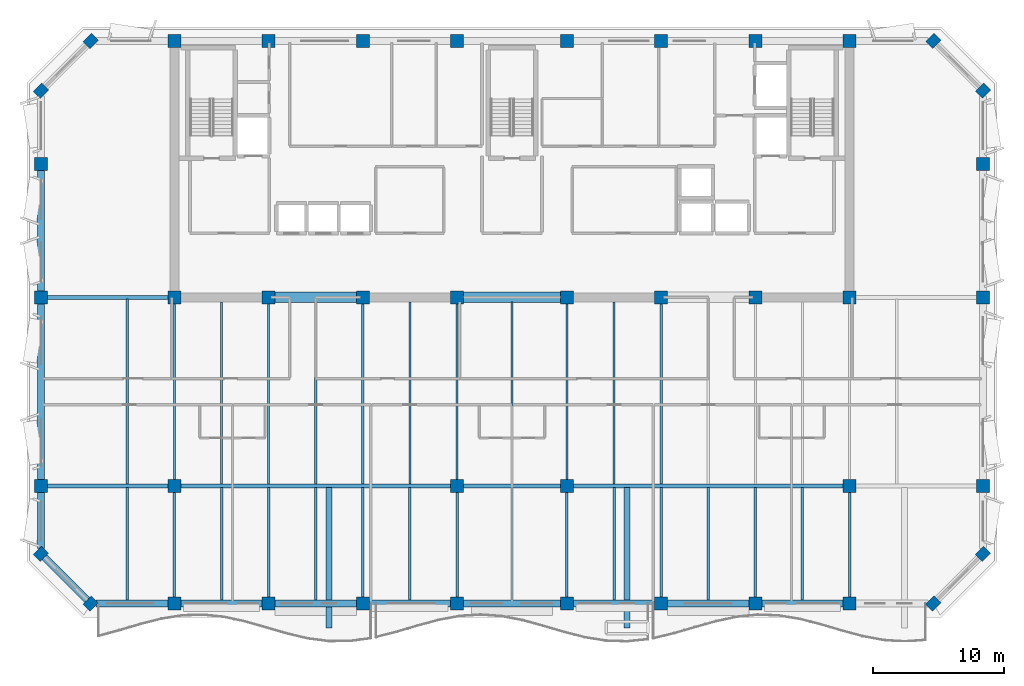
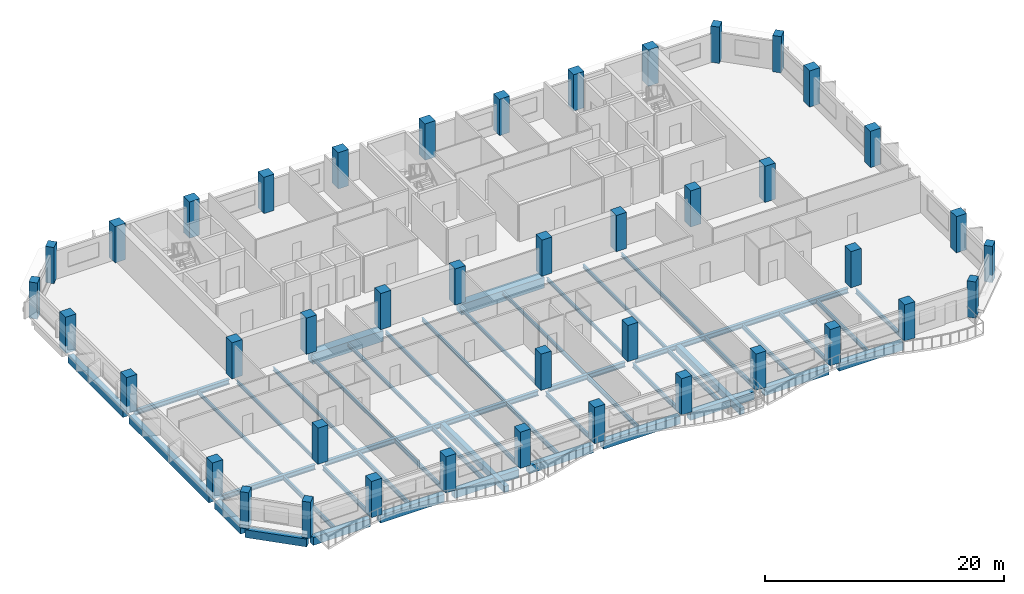
# One storey, part 1 of 11: 49 beams, 42 columns.
"""IFC4 building model written with IfcOpenShell, lengths in metres."""

from ifc_helpers import new_model, si_unit, direction, frame, origin, origin_2d, place, context, subcontext, project, spatial, rectangle, i_section, extrude, material, material_profile, profile_set, type_object, element, save


model = new_model("IFC4")

# Units and contexts
model_context = context("Model", 3, precision=1e-05, world=origin(), true_north=direction((0.0, 1.0)))
body_context = subcontext(model_context, "Body", "Model", "MODEL_VIEW")
ifc_project = project(units=[si_unit("LENGTHUNIT", "METRE"), si_unit("AREAUNIT", "SQUARE_METRE"), si_unit("VOLUMEUNIT", "CUBIC_METRE"), si_unit("PLANEANGLEUNIT", "RADIAN"), si_unit("MASSUNIT", "GRAM", prefix="KILO")], contexts=[model_context])

# Site, building, storey
site_placement = place(None, origin())
site = spatial("IfcSite", under=ifc_project, at=site_placement, CompositionType="ELEMENT")
building_placement = place(site_placement, origin())
building = spatial("IfcBuilding", under=site, at=building_placement, Name="Kaelvorn Grand Hotel", CompositionType="ELEMENT")
storey_placement = place(building_placement, frame((0.0, 0.0, 256.800048828125)))
storey = spatial("IfcBuildingStorey", under=building, at=storey_placement, Name="L63", CompositionType="ELEMENT", Elevation=256.800048828125)

# Columns
ifc_material_1 = material(Name="Concrete C60/75", Category="concrete")
ifc_material_profile_1 = material_profile(ifc_material_1, rectangle(XDim=0.89990234375, YDim=0.75, at=origin_2d()), Name="RC PILASTER 900x750")
ifc_profile_set_1 = profile_set([ifc_material_profile_1], Name="Concrete C60/75")
column_type_1 = type_object("IfcColumnType", Name="COL-PIL-900x750-C60", PredefinedType="PILASTER", material=ifc_profile_set_1)
for number, where, z_axis, x_axis, name in (
    (1, (9.800048828125, 6.0, 0.0), (0.0, 0.0, 1.0), (0.707106781187, 0.707106781187, 0.0), "L63 Structural Column CH-01"),
    (2, (74.199951171875, 6.0, 0.0), (0.0, 0.0, 1.0), (0.707106781187, 0.707106781187, 0.0), "L63 Structural Column CH-02"),
    (3, (78.0, 9.800048828125, 0.0), (0.0, 0.0, 1.0), (0.707106781187, 0.707106781187, 0.0), "L63 Structural Column CH-03"),
    (4, (78.0, 45.199951171875, 0.0), (0.0, 0.0, 1.0), (0.707106781187, 0.707106781187, 0.0), "L63 Structural Column CH-04"),
    (5, (74.199951171875, 49.0, 0.0), (0.0, 0.0, 1.0), (0.707106781187, 0.707106781187, 0.0), "L63 Structural Column CH-05"),
    (6, (9.800048828125, 49.0, 0.0), (0.0, 0.0, 1.0), (0.707106781187, 0.707106781187, 0.0), "L63 Structural Column CH-06"),
    (7, (6.0, 45.199951171875, 0.0), (0.0, 0.0, 1.0), (0.707106781187, 0.707106781187, 0.0), "L63 Structural Column CH-07"),
    (8, (6.0, 9.800048828125, 0.0), (0.0, 0.0, 1.0), (0.707106781187, 0.707106781187, 0.0), "L63 Structural Column CH-08"),
):
    element("IfcColumn", number, at=place(storey_placement, frame(where, z_axis=z_axis, x_axis=x_axis)), inside=storey, type_object=column_type_1, Name=name, PredefinedType="PILASTER", context=body_context, shape_type="SweptSolid", body=[
        extrude(rectangle(XDim=0.89990234375, YDim=0.75, at=origin_2d()), origin(), (0.0, 0.0, 1.0), 3.7099609375),
    ])
ifc_material_2 = material(Name="Concrete C50/60", Category="concrete")
ifc_material_profile_2 = material_profile(ifc_material_2, rectangle(XDim=1.0, YDim=1.0, at=origin_2d()), Name="RC COL 1000x1000")
ifc_profile_set_2 = profile_set([ifc_material_profile_2], Name="Concrete C50/60")
column_type_2 = type_object("IfcColumnType", Name="COL-RC-1000-C50", PredefinedType="COLUMN", material=ifc_profile_set_2)
for number, where, z_axis, x_axis, name in (
    (9, (16.199951171875, 6.0, 0.0), (0.0, 0.0, 1.0), (1.0, 0.0, 0.0), "L63 Structural Column S-01"),
    (10, (23.39990234375, 6.0, 0.0), (0.0, 0.0, 1.0), (1.0, 0.0, 0.0), "L63 Structural Column S-02"),
    (11, (30.60009765625, 6.0, 0.0), (0.0, 0.0, 1.0), (1.0, 0.0, 0.0), "L63 Structural Column S-03"),
    (12, (37.800048828125, 6.0, 0.0), (0.0, 0.0, 1.0), (1.0, 0.0, 0.0), "L63 Structural Column S-04"),
    (13, (46.199951171875, 6.0, 0.0), (0.0, 0.0, 1.0), (1.0, 0.0, 0.0), "L63 Structural Column S-05"),
    (14, (53.39990234375, 6.0, 0.0), (0.0, 0.0, 1.0), (1.0, 0.0, 0.0), "L63 Structural Column S-06"),
    (15, (60.60009765625, 6.0, 0.0), (0.0, 0.0, 1.0), (1.0, 0.0, 0.0), "L63 Structural Column S-07"),
    (16, (67.800048828125, 6.0, 0.0), (0.0, 0.0, 1.0), (1.0, 0.0, 0.0), "L63 Structural Column S-08"),
    (17, (6.0, 15.0, 0.0), (0.0, 0.0, 1.0), (1.0, 0.0, 0.0), "L63 Structural Column W-01"),
    (18, (78.0, 15.0, 0.0), (0.0, 0.0, 1.0), (1.0, 0.0, 0.0), "L63 Structural Column E-01"),
    (19, (6.0, 29.39990234375, 0.0), (0.0, 0.0, 1.0), (1.0, 0.0, 0.0), "L63 Structural Column W-02"),
    (20, (78.0, 29.39990234375, 0.0), (0.0, 0.0, 1.0), (1.0, 0.0, 0.0), "L63 Structural Column E-02"),
    (21, (6.0, 39.60009765625, 0.0), (0.0, 0.0, 1.0), (1.0, 0.0, 0.0), "L63 Structural Column W-03"),
    (22, (78.0, 39.60009765625, 0.0), (0.0, 0.0, 1.0), (1.0, 0.0, 0.0), "L63 Structural Column E-03"),
    (23, (16.199951171875, 15.0, 0.0), (0.0, 0.0, 1.0), (1.0, 0.0, 0.0), "L63 Structural Column M-01"),
    (24, (37.800048828125, 15.0, 0.0), (0.0, 0.0, 1.0), (1.0, 0.0, 0.0), "L63 Structural Column M-02"),
    (25, (46.199951171875, 15.0, 0.0), (0.0, 0.0, 1.0), (1.0, 0.0, 0.0), "L63 Structural Column M-03"),
    (26, (67.800048828125, 15.0, 0.0), (0.0, 0.0, 1.0), (1.0, 0.0, 0.0), "L63 Structural Column M-04"),
    (27, (16.199951171875, 29.39990234375, 0.0), (0.0, 0.0, 1.0), (1.0, 0.0, 0.0), "L63 Structural Column CR1-01"),
    (28, (16.199951171875, 49.0, 0.0), (0.0, 0.0, 1.0), (1.0, 0.0, 0.0), "L63 Structural Column CR2-01"),
    (29, (23.39990234375, 29.39990234375, 0.0), (0.0, 0.0, 1.0), (1.0, 0.0, 0.0), "L63 Structural Column CR1-02"),
    (30, (23.39990234375, 49.0, 0.0), (0.0, 0.0, 1.0), (1.0, 0.0, 0.0), "L63 Structural Column CR2-02"),
    (31, (30.60009765625, 29.39990234375, 0.0), (0.0, 0.0, 1.0), (1.0, 0.0, 0.0), "L63 Structural Column CR1-03"),
    (32, (30.60009765625, 49.0, 0.0), (0.0, 0.0, 1.0), (1.0, 0.0, 0.0), "L63 Structural Column CR2-03"),
    (33, (37.800048828125, 29.39990234375, 0.0), (0.0, 0.0, 1.0), (1.0, 0.0, 0.0), "L63 Structural Column CR1-04"),
    (34, (37.800048828125, 49.0, 0.0), (0.0, 0.0, 1.0), (1.0, 0.0, 0.0), "L63 Structural Column CR2-04"),
    (35, (46.199951171875, 29.39990234375, 0.0), (0.0, 0.0, 1.0), (1.0, 0.0, 0.0), "L63 Structural Column CR1-05"),
    (36, (46.199951171875, 49.0, 0.0), (0.0, 0.0, 1.0), (1.0, 0.0, 0.0), "L63 Structural Column CR2-05"),
    (37, (53.39990234375, 29.39990234375, 0.0), (0.0, 0.0, 1.0), (1.0, 0.0, 0.0), "L63 Structural Column CR1-06"),
    (38, (53.39990234375, 49.0, 0.0), (0.0, 0.0, 1.0), (1.0, 0.0, 0.0), "L63 Structural Column CR2-06"),
    (39, (60.60009765625, 29.39990234375, 0.0), (0.0, 0.0, 1.0), (1.0, 0.0, 0.0), "L63 Structural Column CR1-07"),
    (40, (60.60009765625, 49.0, 0.0), (0.0, 0.0, 1.0), (1.0, 0.0, 0.0), "L63 Structural Column CR2-07"),
    (41, (67.800048828125, 29.39990234375, 0.0), (0.0, 0.0, 1.0), (1.0, 0.0, 0.0), "L63 Structural Column CR1-08"),
    (42, (67.800048828125, 49.0, 0.0), (0.0, 0.0, 1.0), (1.0, 0.0, 0.0), "L63 Structural Column CR2-08"),
):
    element("IfcColumn", number, at=place(storey_placement, frame(where, z_axis=z_axis, x_axis=x_axis)), inside=storey, type_object=column_type_2, Name=name, PredefinedType="COLUMN", context=body_context, shape_type="SweptSolid", body=[
        extrude(rectangle(XDim=1.0, YDim=1.0, at=origin_2d()), origin(), (0.0, 0.0, 1.0), 3.7099609375),
    ])

# Beams
ifc_material_3 = material(Name="Steel S355", Category="steel")
ifc_material_profile_3 = material_profile(ifc_material_3, i_section(OverallWidth=0.300048828125, OverallDepth=0.5, WebThickness=0.014404296875, FlangeThickness=0.028076171875, FilletRadius=0.027099609375, at=origin_2d()), Name="HEB 500")
ifc_profile_set_3 = profile_set([ifc_material_profile_3], Name="Steel S355")
beam_type_1 = type_object("IfcBeamType", Name="BM-G-HEB500-S355", PredefinedType="BEAM", material=ifc_profile_set_3)
beam_1_placement = place(storey_placement, frame((6.485107421875, 15.0, -0.489990234375), z_axis=(1.0, 0.0, 0.0), x_axis=(0.0, 1.0, 0.0)))
element("IfcBeam", 43, at=beam_1_placement, inside=storey, type_object=beam_type_1, Name="L63 Primary Spine Steel Girder G-15 01", PredefinedType="BEAM", context=body_context, shape_type="SweptSolid", body=[
    extrude(i_section(OverallWidth=0.300048828125, OverallDepth=0.5, WebThickness=0.014404296875, FlangeThickness=0.028076171875, FilletRadius=0.027099609375, at=origin_2d()), origin(), (0.0, 0.0, 1.0), 9.22998046875),
])
beam_2_placement = place(storey_placement, frame((16.68505859375, 15.0, -0.489990234375), z_axis=(1.0, 0.0, 0.0), x_axis=(0.0, 1.0, 0.0)))
element("IfcBeam", 44, at=beam_2_placement, inside=storey, type_object=beam_type_1, Name="L63 Primary Spine Steel Girder G-15 02", PredefinedType="BEAM", context=body_context, shape_type="SweptSolid", body=[
    extrude(i_section(OverallWidth=0.300048828125, OverallDepth=0.5, WebThickness=0.014404296875, FlangeThickness=0.028076171875, FilletRadius=0.027099609375, at=origin_2d()), origin(), (0.0, 0.0, 1.0), 20.6298828125),
])
beam_3_placement = place(storey_placement, frame((38.284912109375, 15.0, -0.489990234375), z_axis=(1.0, 0.0, 0.0), x_axis=(0.0, 1.0, 0.0)))
element("IfcBeam", 45, at=beam_3_placement, inside=storey, type_object=beam_type_1, Name="L63 Primary Spine Steel Girder G-15 03", PredefinedType="BEAM", context=body_context, shape_type="SweptSolid", body=[
    extrude(i_section(OverallWidth=0.300048828125, OverallDepth=0.5, WebThickness=0.014404296875, FlangeThickness=0.028076171875, FilletRadius=0.027099609375, at=origin_2d()), origin(), (0.0, 0.0, 1.0), 7.43017578125),
])
beam_4_placement = place(storey_placement, frame((46.68505859375, 15.0, -0.489990234375), z_axis=(1.0, 0.0, 0.0), x_axis=(0.0, 1.0, 0.0)))
element("IfcBeam", 46, at=beam_4_placement, inside=storey, type_object=beam_type_1, Name="L63 Primary Spine Steel Girder G-15 04", PredefinedType="BEAM", context=body_context, shape_type="SweptSolid", body=[
    extrude(i_section(OverallWidth=0.300048828125, OverallDepth=0.5, WebThickness=0.014404296875, FlangeThickness=0.028076171875, FilletRadius=0.027099609375, at=origin_2d()), origin(), (0.0, 0.0, 1.0), 20.6298828125),
])
beam_5_placement = place(storey_placement, frame((6.485107421875, 29.39990234375, -0.489990234375), z_axis=(1.0, 0.0, 0.0), x_axis=(0.0, 1.0, 0.0)))
element("IfcBeam", 47, at=beam_5_placement, inside=storey, type_object=beam_type_1, Name="L63 West Core Wing Steel Girder G-29W 01", PredefinedType="BEAM", context=body_context, shape_type="SweptSolid", body=[
    extrude(i_section(OverallWidth=0.300048828125, OverallDepth=0.5, WebThickness=0.014404296875, FlangeThickness=0.028076171875, FilletRadius=0.027099609375, at=origin_2d()), origin(), (0.0, 0.0, 1.0), 9.22998046875),
])
ifc_material_profile_4 = material_profile(ifc_material_3, i_section(OverallWidth=0.169921875, OverallDepth=0.360107421875, WebThickness=0.008056640625, FlangeThickness=0.0126953125, FilletRadius=0.01806640625, at=origin_2d()), Name="IPE 360")
ifc_profile_set_4 = profile_set([ifc_material_profile_4], Name="Steel S355")
beam_type_2 = type_object("IfcBeamType", Name="BM-J-IPE360-S355", PredefinedType="JOIST", material=ifc_profile_set_4)
beam_6_placement = place(storey_placement, frame((12.60009765625, 15.135009765625, -0.420166015625), z_axis=(0.0, 1.0, 0.0), x_axis=(-1.0, 0.0, 0.0)))
element("IfcBeam", 48, at=beam_6_placement, inside=storey, type_object=beam_type_2, Name="L63 Composite Floor Joist JM-04", PredefinedType="JOIST", context=body_context, shape_type="SweptSolid", body=[
    extrude(i_section(OverallWidth=0.169921875, OverallDepth=0.360107421875, WebThickness=0.008056640625, FlangeThickness=0.0126953125, FilletRadius=0.01806640625, at=origin_2d()), origin(), (0.0, 0.0, 1.0), 14.1298828125),
])
beam_7_placement = place(storey_placement, frame((16.199951171875, 15.485107421875, -0.420166015625), z_axis=(0.0, 1.0, 0.0), x_axis=(-1.0, 0.0, 0.0)))
element("IfcBeam", 49, at=beam_7_placement, inside=storey, type_object=beam_type_2, Name="L63 Composite Floor Joist JM-05", PredefinedType="JOIST", context=body_context, shape_type="SweptSolid", body=[
    extrude(i_section(OverallWidth=0.169921875, OverallDepth=0.360107421875, WebThickness=0.008056640625, FlangeThickness=0.0126953125, FilletRadius=0.01806640625, at=origin_2d()), origin(), (0.0, 0.0, 1.0), 13.429931640625),
])
beam_8_placement = place(storey_placement, frame((19.800048828125, 15.135009765625, -0.420166015625), z_axis=(0.0, 1.0, 0.0), x_axis=(-1.0, 0.0, 0.0)))
element("IfcBeam", 50, at=beam_8_placement, inside=storey, type_object=beam_type_2, Name="L63 Composite Floor Joist JM-06", PredefinedType="JOIST", context=body_context, shape_type="SweptSolid", body=[
    extrude(i_section(OverallWidth=0.169921875, OverallDepth=0.360107421875, WebThickness=0.008056640625, FlangeThickness=0.0126953125, FilletRadius=0.01806640625, at=origin_2d()), origin(), (0.0, 0.0, 1.0), 13.925048828125),
])
beam_9_placement = place(storey_placement, frame((23.39990234375, 15.135009765625, -0.420166015625), z_axis=(0.0, 1.0, 0.0), x_axis=(-1.0, 0.0, 0.0)))
element("IfcBeam", 51, at=beam_9_placement, inside=storey, type_object=beam_type_2, Name="L63 Composite Floor Joist JM-07", PredefinedType="JOIST", context=body_context, shape_type="SweptSolid", body=[
    extrude(i_section(OverallWidth=0.169921875, OverallDepth=0.360107421875, WebThickness=0.008056640625, FlangeThickness=0.0126953125, FilletRadius=0.01806640625, at=origin_2d()), origin(), (0.0, 0.0, 1.0), 13.780029296875),
])
beam_10_placement = place(storey_placement, frame((27.0, 15.135009765625, -0.420166015625), z_axis=(0.0, 1.0, 0.0), x_axis=(-1.0, 0.0, 0.0)))
element("IfcBeam", 52, at=beam_10_placement, inside=storey, type_object=beam_type_2, Name="L63 Composite Floor Joist JM-08", PredefinedType="JOIST", context=body_context, shape_type="SweptSolid", body=[
    extrude(i_section(OverallWidth=0.169921875, OverallDepth=0.360107421875, WebThickness=0.008056640625, FlangeThickness=0.0126953125, FilletRadius=0.01806640625, at=origin_2d()), origin(), (0.0, 0.0, 1.0), 13.925048828125),
])
beam_11_placement = place(storey_placement, frame((30.60009765625, 15.135009765625, -0.420166015625), z_axis=(0.0, 1.0, 0.0), x_axis=(-1.0, 0.0, 0.0)))
element("IfcBeam", 53, at=beam_11_placement, inside=storey, type_object=beam_type_2, Name="L63 Composite Floor Joist JM-09", PredefinedType="JOIST", context=body_context, shape_type="SweptSolid", body=[
    extrude(i_section(OverallWidth=0.169921875, OverallDepth=0.360107421875, WebThickness=0.008056640625, FlangeThickness=0.0126953125, FilletRadius=0.01806640625, at=origin_2d()), origin(), (0.0, 0.0, 1.0), 13.780029296875),
])
beam_12_placement = place(storey_placement, frame((34.199951171875, 15.135009765625, -0.420166015625), z_axis=(0.0, 1.0, 0.0), x_axis=(-1.0, 0.0, 0.0)))
element("IfcBeam", 54, at=beam_12_placement, inside=storey, type_object=beam_type_2, Name="L63 Composite Floor Joist JM-10", PredefinedType="JOIST", context=body_context, shape_type="SweptSolid", body=[
    extrude(i_section(OverallWidth=0.169921875, OverallDepth=0.360107421875, WebThickness=0.008056640625, FlangeThickness=0.0126953125, FilletRadius=0.01806640625, at=origin_2d()), origin(), (0.0, 0.0, 1.0), 13.925048828125),
])
beam_13_placement = place(storey_placement, frame((37.800048828125, 15.485107421875, -0.420166015625), z_axis=(0.0, 1.0, 0.0), x_axis=(-1.0, 0.0, 0.0)))
element("IfcBeam", 55, at=beam_13_placement, inside=storey, type_object=beam_type_2, Name="L63 Composite Floor Joist JM-11", PredefinedType="JOIST", context=body_context, shape_type="SweptSolid", body=[
    extrude(i_section(OverallWidth=0.169921875, OverallDepth=0.360107421875, WebThickness=0.008056640625, FlangeThickness=0.0126953125, FilletRadius=0.01806640625, at=origin_2d()), origin(), (0.0, 0.0, 1.0), 13.429931640625),
])
beam_14_placement = place(storey_placement, frame((42.0, 15.135009765625, -0.420166015625), z_axis=(0.0, 1.0, 0.0), x_axis=(-1.0, 0.0, 0.0)))
element("IfcBeam", 56, at=beam_14_placement, inside=storey, type_object=beam_type_2, Name="L63 Composite Floor Joist JM-12", PredefinedType="JOIST", context=body_context, shape_type="SweptSolid", body=[
    extrude(i_section(OverallWidth=0.169921875, OverallDepth=0.360107421875, WebThickness=0.008056640625, FlangeThickness=0.0126953125, FilletRadius=0.01806640625, at=origin_2d()), origin(), (0.0, 0.0, 1.0), 13.925048828125),
])
beam_15_placement = place(storey_placement, frame((46.199951171875, 15.485107421875, -0.420166015625), z_axis=(0.0, 1.0, 0.0), x_axis=(-1.0, 0.0, 0.0)))
element("IfcBeam", 57, at=beam_15_placement, inside=storey, type_object=beam_type_2, Name="L63 Composite Floor Joist JM-13", PredefinedType="JOIST", context=body_context, shape_type="SweptSolid", body=[
    extrude(i_section(OverallWidth=0.169921875, OverallDepth=0.360107421875, WebThickness=0.008056640625, FlangeThickness=0.0126953125, FilletRadius=0.01806640625, at=origin_2d()), origin(), (0.0, 0.0, 1.0), 13.429931640625),
])
beam_16_placement = place(storey_placement, frame((49.800048828125, 15.135009765625, -0.420166015625), z_axis=(0.0, 1.0, 0.0), x_axis=(-1.0, 0.0, 0.0)))
element("IfcBeam", 58, at=beam_16_placement, inside=storey, type_object=beam_type_2, Name="L63 Composite Floor Joist JM-14", PredefinedType="JOIST", context=body_context, shape_type="SweptSolid", body=[
    extrude(i_section(OverallWidth=0.169921875, OverallDepth=0.360107421875, WebThickness=0.008056640625, FlangeThickness=0.0126953125, FilletRadius=0.01806640625, at=origin_2d()), origin(), (0.0, 0.0, 1.0), 13.925048828125),
])
beam_17_placement = place(storey_placement, frame((53.39990234375, 15.135009765625, -0.420166015625), z_axis=(0.0, 1.0, 0.0), x_axis=(-1.0, 0.0, 0.0)))
element("IfcBeam", 59, at=beam_17_placement, inside=storey, type_object=beam_type_2, Name="L63 Composite Floor Joist JM-15", PredefinedType="JOIST", context=body_context, shape_type="SweptSolid", body=[
    extrude(i_section(OverallWidth=0.169921875, OverallDepth=0.360107421875, WebThickness=0.008056640625, FlangeThickness=0.0126953125, FilletRadius=0.01806640625, at=origin_2d()), origin(), (0.0, 0.0, 1.0), 13.780029296875),
])
ifc_material_profile_5 = material_profile(ifc_material_3, i_section(OverallWidth=0.18994140625, OverallDepth=0.449951171875, WebThickness=0.009521484375, FlangeThickness=0.0146484375, FilletRadius=0.02099609375, at=origin_2d()), Name="IPE 450")
ifc_profile_set_5 = profile_set([ifc_material_profile_5], Name="Steel S355")
beam_type_3 = type_object("IfcBeamType", Name="BM-J-IPE450-S355", PredefinedType="JOIST", material=ifc_profile_set_5)
beam_18_placement = place(storey_placement, frame((12.60009765625, 6.260009765625, -0.465087890625), z_axis=(0.0, 1.0, 0.0), x_axis=(-1.0, 0.0, 0.0)))
element("IfcBeam", 60, at=beam_18_placement, inside=storey, type_object=beam_type_3, Name="L63 Composite Floor Joist JS-04", PredefinedType="JOIST", context=body_context, shape_type="SweptSolid", body=[
    extrude(i_section(OverallWidth=0.18994140625, OverallDepth=0.449951171875, WebThickness=0.009521484375, FlangeThickness=0.0146484375, FilletRadius=0.02099609375, at=origin_2d()), origin(), (0.0, 0.0, 1.0), 8.60498046875),
])
beam_19_placement = place(storey_placement, frame((16.199951171875, 6.485107421875, -0.465087890625), z_axis=(0.0, 1.0, 0.0), x_axis=(-1.0, 0.0, 0.0)))
element("IfcBeam", 61, at=beam_19_placement, inside=storey, type_object=beam_type_3, Name="L63 Composite Floor Joist JS-05", PredefinedType="JOIST", context=body_context, shape_type="SweptSolid", body=[
    extrude(i_section(OverallWidth=0.18994140625, OverallDepth=0.449951171875, WebThickness=0.009521484375, FlangeThickness=0.0146484375, FilletRadius=0.02099609375, at=origin_2d()), origin(), (0.0, 0.0, 1.0), 8.02978515625),
])
beam_20_placement = place(storey_placement, frame((19.800048828125, 6.260009765625, -0.465087890625), z_axis=(0.0, 1.0, 0.0), x_axis=(-1.0, 0.0, 0.0)))
element("IfcBeam", 62, at=beam_20_placement, inside=storey, type_object=beam_type_3, Name="L63 Composite Floor Joist JS-06", PredefinedType="JOIST", context=body_context, shape_type="SweptSolid", body=[
    extrude(i_section(OverallWidth=0.18994140625, OverallDepth=0.449951171875, WebThickness=0.009521484375, FlangeThickness=0.0146484375, FilletRadius=0.02099609375, at=origin_2d()), origin(), (0.0, 0.0, 1.0), 8.60498046875),
])
beam_21_placement = place(storey_placement, frame((23.39990234375, 6.485107421875, -0.465087890625), z_axis=(0.0, 1.0, 0.0), x_axis=(-1.0, 0.0, 0.0)))
element("IfcBeam", 63, at=beam_21_placement, inside=storey, type_object=beam_type_3, Name="L63 Composite Floor Joist JS-07", PredefinedType="JOIST", context=body_context, shape_type="SweptSolid", body=[
    extrude(i_section(OverallWidth=0.18994140625, OverallDepth=0.449951171875, WebThickness=0.009521484375, FlangeThickness=0.0146484375, FilletRadius=0.02099609375, at=origin_2d()), origin(), (0.0, 0.0, 1.0), 8.3798828125),
])
beam_22_placement = place(storey_placement, frame((27.0, 6.260009765625, -0.465087890625), z_axis=(0.0, 1.0, 0.0), x_axis=(-1.0, 0.0, 0.0)))
element("IfcBeam", 64, at=beam_22_placement, inside=storey, type_object=beam_type_3, Name="L63 Composite Floor Joist JS-08", PredefinedType="JOIST", context=body_context, shape_type="SweptSolid", body=[
    extrude(i_section(OverallWidth=0.18994140625, OverallDepth=0.449951171875, WebThickness=0.009521484375, FlangeThickness=0.0146484375, FilletRadius=0.02099609375, at=origin_2d()), origin(), (0.0, 0.0, 1.0), 8.60498046875),
])
beam_23_placement = place(storey_placement, frame((30.60009765625, 6.485107421875, -0.465087890625), z_axis=(0.0, 1.0, 0.0), x_axis=(-1.0, 0.0, 0.0)))
element("IfcBeam", 65, at=beam_23_placement, inside=storey, type_object=beam_type_3, Name="L63 Composite Floor Joist JS-09", PredefinedType="JOIST", context=body_context, shape_type="SweptSolid", body=[
    extrude(i_section(OverallWidth=0.18994140625, OverallDepth=0.449951171875, WebThickness=0.009521484375, FlangeThickness=0.0146484375, FilletRadius=0.02099609375, at=origin_2d()), origin(), (0.0, 0.0, 1.0), 8.3798828125),
])
beam_24_placement = place(storey_placement, frame((34.199951171875, 6.260009765625, -0.465087890625), z_axis=(0.0, 1.0, 0.0), x_axis=(-1.0, 0.0, 0.0)))
element("IfcBeam", 66, at=beam_24_placement, inside=storey, type_object=beam_type_3, Name="L63 Composite Floor Joist JS-10", PredefinedType="JOIST", context=body_context, shape_type="SweptSolid", body=[
    extrude(i_section(OverallWidth=0.18994140625, OverallDepth=0.449951171875, WebThickness=0.009521484375, FlangeThickness=0.0146484375, FilletRadius=0.02099609375, at=origin_2d()), origin(), (0.0, 0.0, 1.0), 8.60498046875),
])
beam_25_placement = place(storey_placement, frame((37.800048828125, 6.485107421875, -0.465087890625), z_axis=(0.0, 1.0, 0.0), x_axis=(-1.0, 0.0, 0.0)))
element("IfcBeam", 67, at=beam_25_placement, inside=storey, type_object=beam_type_3, Name="L63 Composite Floor Joist JS-11", PredefinedType="JOIST", context=body_context, shape_type="SweptSolid", body=[
    extrude(i_section(OverallWidth=0.18994140625, OverallDepth=0.449951171875, WebThickness=0.009521484375, FlangeThickness=0.0146484375, FilletRadius=0.02099609375, at=origin_2d()), origin(), (0.0, 0.0, 1.0), 8.02978515625),
])
beam_26_placement = place(storey_placement, frame((42.0, 6.260009765625, -0.465087890625), z_axis=(0.0, 1.0, 0.0), x_axis=(-1.0, 0.0, 0.0)))
element("IfcBeam", 68, at=beam_26_placement, inside=storey, type_object=beam_type_3, Name="L63 Composite Floor Joist JS-12", PredefinedType="JOIST", context=body_context, shape_type="SweptSolid", body=[
    extrude(i_section(OverallWidth=0.18994140625, OverallDepth=0.449951171875, WebThickness=0.009521484375, FlangeThickness=0.0146484375, FilletRadius=0.02099609375, at=origin_2d()), origin(), (0.0, 0.0, 1.0), 8.60498046875),
])
beam_27_placement = place(storey_placement, frame((46.199951171875, 6.485107421875, -0.465087890625), z_axis=(0.0, 1.0, 0.0), x_axis=(-1.0, 0.0, 0.0)))
element("IfcBeam", 69, at=beam_27_placement, inside=storey, type_object=beam_type_3, Name="L63 Composite Floor Joist JS-13", PredefinedType="JOIST", context=body_context, shape_type="SweptSolid", body=[
    extrude(i_section(OverallWidth=0.18994140625, OverallDepth=0.449951171875, WebThickness=0.009521484375, FlangeThickness=0.0146484375, FilletRadius=0.02099609375, at=origin_2d()), origin(), (0.0, 0.0, 1.0), 8.02978515625),
])
beam_28_placement = place(storey_placement, frame((49.800048828125, 6.260009765625, -0.465087890625), z_axis=(0.0, 1.0, 0.0), x_axis=(-1.0, 0.0, 0.0)))
element("IfcBeam", 70, at=beam_28_placement, inside=storey, type_object=beam_type_3, Name="L63 Composite Floor Joist JS-14", PredefinedType="JOIST", context=body_context, shape_type="SweptSolid", body=[
    extrude(i_section(OverallWidth=0.18994140625, OverallDepth=0.449951171875, WebThickness=0.009521484375, FlangeThickness=0.0146484375, FilletRadius=0.02099609375, at=origin_2d()), origin(), (0.0, 0.0, 1.0), 8.60498046875),
])
beam_29_placement = place(storey_placement, frame((53.39990234375, 6.485107421875, -0.465087890625), z_axis=(0.0, 1.0, 0.0), x_axis=(-1.0, 0.0, 0.0)))
element("IfcBeam", 71, at=beam_29_placement, inside=storey, type_object=beam_type_3, Name="L63 Composite Floor Joist JS-15", PredefinedType="JOIST", context=body_context, shape_type="SweptSolid", body=[
    extrude(i_section(OverallWidth=0.18994140625, OverallDepth=0.449951171875, WebThickness=0.009521484375, FlangeThickness=0.0146484375, FilletRadius=0.02099609375, at=origin_2d()), origin(), (0.0, 0.0, 1.0), 8.3798828125),
])
beam_30_placement = place(storey_placement, frame((57.0, 6.260009765625, -0.465087890625), z_axis=(0.0, 1.0, 0.0), x_axis=(-1.0, 0.0, 0.0)))
element("IfcBeam", 72, at=beam_30_placement, inside=storey, type_object=beam_type_3, Name="L63 Composite Floor Joist JS-16", PredefinedType="JOIST", context=body_context, shape_type="SweptSolid", body=[
    extrude(i_section(OverallWidth=0.18994140625, OverallDepth=0.449951171875, WebThickness=0.009521484375, FlangeThickness=0.0146484375, FilletRadius=0.02099609375, at=origin_2d()), origin(), (0.0, 0.0, 1.0), 8.60498046875),
])
beam_31_placement = place(storey_placement, frame((60.60009765625, 6.485107421875, -0.465087890625), z_axis=(0.0, 1.0, 0.0), x_axis=(-1.0, 0.0, 0.0)))
element("IfcBeam", 73, at=beam_31_placement, inside=storey, type_object=beam_type_3, Name="L63 Composite Floor Joist JS-17", PredefinedType="JOIST", context=body_context, shape_type="SweptSolid", body=[
    extrude(i_section(OverallWidth=0.18994140625, OverallDepth=0.449951171875, WebThickness=0.009521484375, FlangeThickness=0.0146484375, FilletRadius=0.02099609375, at=origin_2d()), origin(), (0.0, 0.0, 1.0), 8.3798828125),
])
beam_32_placement = place(storey_placement, frame((64.199951171875, 6.260009765625, -0.465087890625), z_axis=(0.0, 1.0, 0.0), x_axis=(-1.0, 0.0, 0.0)))
element("IfcBeam", 74, at=beam_32_placement, inside=storey, type_object=beam_type_3, Name="L63 Composite Floor Joist JS-18", PredefinedType="JOIST", context=body_context, shape_type="SweptSolid", body=[
    extrude(i_section(OverallWidth=0.18994140625, OverallDepth=0.449951171875, WebThickness=0.009521484375, FlangeThickness=0.0146484375, FilletRadius=0.02099609375, at=origin_2d()), origin(), (0.0, 0.0, 1.0), 8.60498046875),
])
beam_33_placement = place(storey_placement, frame((67.800048828125, 6.485107421875, -0.465087890625), z_axis=(0.0, 1.0, 0.0), x_axis=(-1.0, 0.0, 0.0)))
element("IfcBeam", 75, at=beam_33_placement, inside=storey, type_object=beam_type_3, Name="L63 Composite Floor Joist JS-19", PredefinedType="JOIST", context=body_context, shape_type="SweptSolid", body=[
    extrude(i_section(OverallWidth=0.18994140625, OverallDepth=0.449951171875, WebThickness=0.009521484375, FlangeThickness=0.0146484375, FilletRadius=0.02099609375, at=origin_2d()), origin(), (0.0, 0.0, 1.0), 8.02978515625),
])
ifc_material_profile_6 = material_profile(ifc_material_1, rectangle(XDim=0.800048828125, YDim=1.10009765625, at=origin_2d()), Name="RC LINTEL 800x1100")
ifc_profile_set_6 = profile_set([ifc_material_profile_6], Name="Concrete C60/75")
beam_type_4 = type_object("IfcBeamType", Name="BM-LIN-800x1100-C60", PredefinedType="LINTEL", material=ifc_profile_set_6)
beam_34_placement = place(storey_placement, frame((23.580078125, 29.39990234375, -0.7900390625), z_axis=(1.0, 0.0, 0.0), x_axis=(0.0, 1.0, 0.0)))
element("IfcBeam", 76, at=beam_34_placement, inside=storey, type_object=beam_type_4, Name="L63 Rear-Core Coupling Lintel Beam CB1-01", PredefinedType="LINTEL", context=body_context, shape_type="SweptSolid", body=[
    extrude(rectangle(XDim=0.800048828125, YDim=1.10009765625, at=origin_2d()), origin(), (0.0, 0.0, 1.0), 6.83984375),
])
beam_35_placement = place(storey_placement, frame((37.97998046875, 29.39990234375, -0.7900390625), z_axis=(1.0, 0.0, 0.0), x_axis=(0.0, 1.0, 0.0)))
element("IfcBeam", 77, at=beam_35_placement, inside=storey, type_object=beam_type_4, Name="L63 Rear-Core Coupling Lintel Beam CB1-02", PredefinedType="LINTEL", context=body_context, shape_type="SweptSolid", body=[
    extrude(rectangle(XDim=0.800048828125, YDim=1.10009765625, at=origin_2d()), origin(), (0.0, 0.0, 1.0), 8.0400390625),
])
ifc_material_4 = material(Name="Concrete C40/50", Category="concrete")
ifc_material_profile_7 = material_profile(ifc_material_4, rectangle(XDim=0.449951171875, YDim=0.64990234375, at=origin_2d()), Name="RC RIB 450x650")
ifc_profile_set_7 = profile_set([ifc_material_profile_7], Name="Concrete C40/50")
beam_type_5 = type_object("IfcBeamType", Name="BM-RIB-450x650-C40", PredefinedType="SPANDREL", material=ifc_profile_set_7)
for number, where, z_axis, x_axis, name in (
    (78, (28.0, 4.14990234375, -0.545166015625), (0.0, 1.0, 0.0), (-1.0, 0.0, 0.0), "L63 Cantilevered Balcony Back-Span Rib RB1-1"),
    (79, (50.800048828125, 4.14990234375, -0.545166015625), (0.0, 1.0, 0.0), (-1.0, 0.0, 0.0), "L63 Cantilevered Balcony Back-Span Rib RB1-2"),
):
    element("IfcBeam", number, at=place(storey_placement, frame(where, z_axis=z_axis, x_axis=x_axis)), inside=storey, type_object=beam_type_5, Name=name, PredefinedType="SPANDREL", context=body_context, shape_type="SweptSolid", body=[
        extrude(rectangle(XDim=0.449951171875, YDim=0.64990234375, at=origin_2d()), origin(), (0.0, 0.0, 1.0), 10.715087890625),
    ])
ifc_material_profile_8 = material_profile(ifc_material_2, rectangle(XDim=0.550048828125, YDim=0.800048828125, at=origin_2d()), Name="RC SPANDREL 550x800")
ifc_profile_set_8 = profile_set([ifc_material_profile_8], Name="Concrete C50/60")
beam_type_6 = type_object("IfcBeamType", Name="BM-SP-550x800-C50", PredefinedType="SPANDREL", material=ifc_profile_set_8)
beam_36_placement = place(storey_placement, frame((10.205078125, 6.0, -0.64013671875), z_axis=(1.0, 0.0, 0.0), x_axis=(0.0, 1.0, 0.0)))
element("IfcBeam", 80, at=beam_36_placement, inside=storey, type_object=beam_type_6, Name="L63 South Perimeter Spandrel 01", PredefinedType="SPANDREL", context=body_context, shape_type="SweptSolid", body=[
    extrude(rectangle(XDim=0.550048828125, YDim=0.800048828125, at=origin_2d()), origin(), (0.0, 0.0, 1.0), 5.510009765625),
])
for number, where, z_axis, x_axis, name in (
    (81, (16.68505859375, 6.0, -0.64013671875), (1.0, 0.0, 0.0), (0.0, 1.0, 0.0), "L63 South Perimeter Spandrel 02"),
    (82, (23.885009765625, 6.0, -0.64013671875), (1.0, 0.0, 0.0), (0.0, 1.0, 0.0), "L63 South Perimeter Spandrel 03"),
    (83, (31.0849609375, 6.0, -0.64013671875), (1.0, 0.0, 0.0), (0.0, 1.0, 0.0), "L63 South Perimeter Spandrel 04"),
):
    element("IfcBeam", number, at=place(storey_placement, frame(where, z_axis=z_axis, x_axis=x_axis)), inside=storey, type_object=beam_type_6, Name=name, PredefinedType="SPANDREL", context=body_context, shape_type="SweptSolid", body=[
        extrude(rectangle(XDim=0.550048828125, YDim=0.800048828125, at=origin_2d()), origin(), (0.0, 0.0, 1.0), 6.22998046875),
    ])
beam_37_placement = place(storey_placement, frame((38.284912109375, 6.0, -0.64013671875), z_axis=(1.0, 0.0, 0.0), x_axis=(0.0, 1.0, 0.0)))
element("IfcBeam", 84, at=beam_37_placement, inside=storey, type_object=beam_type_6, Name="L63 South Perimeter Spandrel 05", PredefinedType="SPANDREL", context=body_context, shape_type="SweptSolid", body=[
    extrude(rectangle(XDim=0.550048828125, YDim=0.800048828125, at=origin_2d()), origin(), (0.0, 0.0, 1.0), 7.43017578125),
])
for number, where, z_axis, x_axis, name in (
    (85, (46.68505859375, 6.0, -0.64013671875), (1.0, 0.0, 0.0), (0.0, 1.0, 0.0), "L63 South Perimeter Spandrel 06"),
    (86, (53.885009765625, 6.0, -0.64013671875), (1.0, 0.0, 0.0), (0.0, 1.0, 0.0), "L63 South Perimeter Spandrel 07"),
    (87, (61.0849609375, 6.0, -0.64013671875), (1.0, 0.0, 0.0), (0.0, 1.0, 0.0), "L63 South Perimeter Spandrel 08"),
):
    element("IfcBeam", number, at=place(storey_placement, frame(where, z_axis=z_axis, x_axis=x_axis)), inside=storey, type_object=beam_type_6, Name=name, PredefinedType="SPANDREL", context=body_context, shape_type="SweptSolid", body=[
        extrude(rectangle(XDim=0.550048828125, YDim=0.800048828125, at=origin_2d()), origin(), (0.0, 0.0, 1.0), 6.22998046875),
    ])
beam_38_placement = place(storey_placement, frame((6.0, 10.205078125, -0.64013671875), z_axis=(0.0, 1.0, 0.0), x_axis=(-1.0, 0.0, 0.0)))
element("IfcBeam", 88, at=beam_38_placement, inside=storey, type_object=beam_type_6, Name="L63 West Perimeter Spandrel 01", PredefinedType="SPANDREL", context=body_context, shape_type="SweptSolid", body=[
    extrude(rectangle(XDim=0.550048828125, YDim=0.800048828125, at=origin_2d()), origin(), (0.0, 0.0, 1.0), 4.309814453125),
])
beam_39_placement = place(storey_placement, frame((6.0, 15.485107421875, -0.64013671875), z_axis=(0.0, 1.0, 0.0), x_axis=(-1.0, 0.0, 0.0)))
element("IfcBeam", 89, at=beam_39_placement, inside=storey, type_object=beam_type_6, Name="L63 West Perimeter Spandrel 02", PredefinedType="SPANDREL", context=body_context, shape_type="SweptSolid", body=[
    extrude(rectangle(XDim=0.550048828125, YDim=0.800048828125, at=origin_2d()), origin(), (0.0, 0.0, 1.0), 13.429931640625),
])
beam_40_placement = place(storey_placement, frame((6.0, 29.885009765625, -0.64013671875), z_axis=(0.0, 1.0, 0.0), x_axis=(-1.0, 0.0, 0.0)))
element("IfcBeam", 90, at=beam_40_placement, inside=storey, type_object=beam_type_6, Name="L63 West Perimeter Spandrel 03", PredefinedType="SPANDREL", context=body_context, shape_type="SweptSolid", body=[
    extrude(rectangle(XDim=0.550048828125, YDim=0.800048828125, at=origin_2d()), origin(), (0.0, 0.0, 1.0), 9.22998046875),
])
beam_41_placement = place(storey_placement, frame((6.0, 9.800048828125, -0.64013671875), z_axis=(0.707106781187, -0.707106781187, 0.0), x_axis=(0.707106781187, 0.707106781187, 0.0)))
element("IfcBeam", 91, at=beam_41_placement, inside=storey, type_object=beam_type_6, Name="L63 Chamfer Spandrel Beam 4", PredefinedType="SPANDREL", context=body_context, shape_type="SweptSolid", body=[
    extrude(rectangle(XDim=0.550048828125, YDim=0.800048828125, at=origin_2d()), origin(), (0.0, 0.0, 1.0), 5.3740234375),
])

save(model, "model.ifc")
